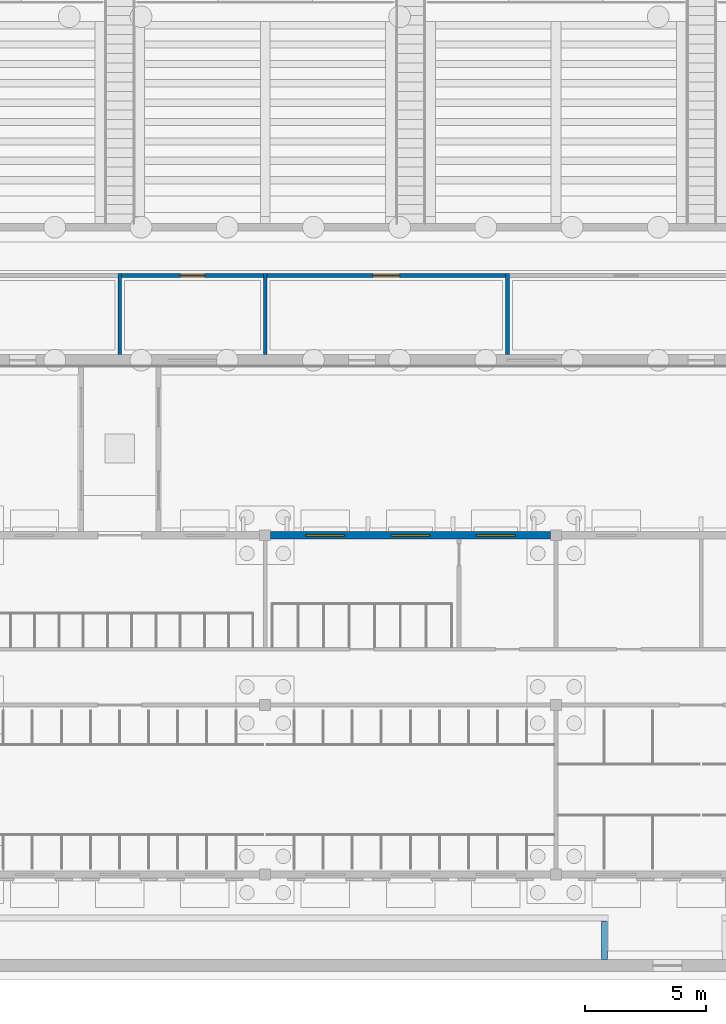
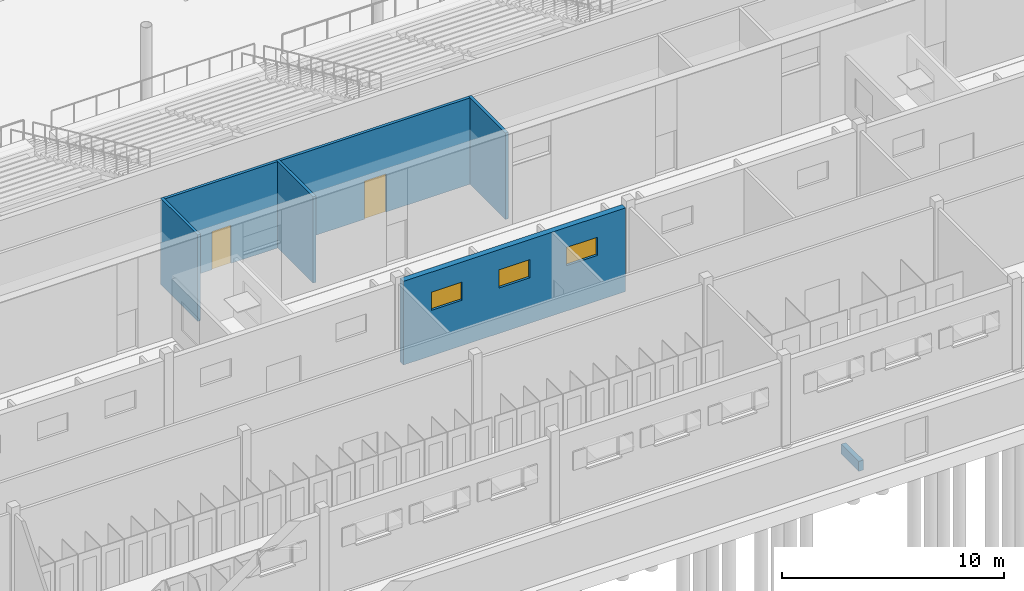
# One storey, part 84 of 157: 7 walls, 3 windows, 2 doors, 5 openings.
"""IFC4 building model written with IfcOpenShell, lengths in metres."""

from ifc_helpers import new_model, si_unit, direction, frame, frame_2d, origin, place, context, subcontext, project, spatial, rectangle, extrude, material, layer, layer_set, type_object, element, fill, save


model = new_model("IFC4")

# Units and contexts
model_context = context("Model", 3, precision=1e-05, world=origin(), true_north=direction((0.0, 1.0)))
body_context = subcontext(model_context, "Body", "Model", "MODEL_VIEW")
ifc_project = project(units=[si_unit("LENGTHUNIT", "METRE"), si_unit("AREAUNIT", "SQUARE_METRE"), si_unit("VOLUMEUNIT", "CUBIC_METRE"), si_unit("PLANEANGLEUNIT", "RADIAN"), si_unit("MASSUNIT", "GRAM", prefix="KILO")], contexts=[model_context])

# Site, building, storey
site_placement = place(None, origin())
site = spatial("IfcSite", under=ifc_project, at=site_placement, CompositionType="ELEMENT")
building_placement = place(site_placement, origin())
building = spatial("IfcBuilding", under=site, at=building_placement, Name="Windward Yard Aquatics Centre", CompositionType="ELEMENT")
storey_placement = place(building_placement, origin())
storey = spatial("IfcBuildingStorey", under=building, at=storey_placement, Name="L00", CompositionType="ELEMENT", Elevation=0.0)

# Wall, openings, windows
ifc_material_1 = material(Name="Natural stone cladding", Category="masonry")
ifc_layer_1 = layer(ifc_material_1, 0.04, Name="Cladding")
ifc_material_2 = material(Name="Ventilated air cavity")
ifc_layer_2 = layer(ifc_material_2, 0.04, ventilated=True, Name="Ventilated cavity")
ifc_material_3 = material(Name="Mineral wool insulation")
ifc_layer_3 = layer(ifc_material_3, 0.06, Name="Insulation")
ifc_material_4 = material(Name="Concrete C35/45", Category="concrete")
ifc_layer_4 = layer(ifc_material_4, 0.16, Name="Structure")
ifc_layer_set_1 = layer_set([ifc_layer_1, ifc_layer_2, ifc_layer_3, ifc_layer_4], Name="C stone-faced external wall 300")
wall_type_1 = type_object("IfcWallType", Name="C stone-faced external wall 300", PredefinedType="ELEMENTEDWALL", material=ifc_layer_set_1)
wall_1_placement = place(storey_placement, frame((84.22509765625, 19.0, 0.0), z_axis=(0.0, 0.0, 1.0), x_axis=(1.0, 0.0, 0.0)))
wall_1 = element("IfcWall", 1, at=wall_1_placement, inside=storey, type_object=wall_type_1, Name="C.W.L00.N4", PredefinedType="ELEMENTEDWALL", context=body_context, shape_type="SweptSolid", body=[
    extrude(rectangle(XDim=11.5498046875, YDim=0.300048828125, at=frame_2d((5.77490234375, 0.0))), origin(), (0.0, 0.0, 1.0), 4.60009765625),
])
opening_1_placement = place(wall_1_placement, frame((1.458251953125, 0.0, 2.5)))
opening_1 = element("IfcOpeningElement", 2, at=opening_1_placement, cuts=wall_1, Name="Opening CW0026", PredefinedType="OPENING", context=body_context, shape_type="SweptSolid", body=[
    extrude(rectangle(XDim=1.60009765625, YDim=1.0, at=frame_2d((0.800048828125, 0.5))), frame((0.0, 0.16015625, 0.0), z_axis=(0.0, -1.0, 0.0), x_axis=(1.0, 0.0, 0.0)), (0.0, 0.0, 1.0), 0.320068359375),
])
opening_2_placement = place(wall_1_placement, frame((4.97509765625, 0.0, 2.5)))
opening_2 = element("IfcOpeningElement", 3, at=opening_2_placement, cuts=wall_1, Name="Opening CW0027", PredefinedType="OPENING", context=body_context, shape_type="SweptSolid", body=[
    extrude(rectangle(XDim=1.60009765625, YDim=1.0, at=frame_2d((0.800048828125, 0.5))), frame((0.0, 0.16015625, 0.0), z_axis=(0.0, -1.0, 0.0), x_axis=(1.0, 0.0, 0.0)), (0.0, 0.0, 1.0), 0.320068359375),
])
opening_3_placement = place(wall_1_placement, frame((8.49169921875, 0.0, 2.5)))
opening_3 = element("IfcOpeningElement", 4, at=opening_3_placement, cuts=wall_1, Name="Opening CW0028", PredefinedType="OPENING", context=body_context, shape_type="SweptSolid", body=[
    extrude(rectangle(XDim=1.60009765625, YDim=1.0, at=frame_2d((0.800048828125, 0.5))), frame((0.0, 0.16015625, 0.0), z_axis=(0.0, -1.0, 0.0), x_axis=(1.0, 0.0, 0.0)), (0.0, 0.0, 1.0), 0.320068359375),
])
ifc_material_5 = material(Name="Aluminium framed double glazing", Category="aluminium")
window_type = type_object("IfcWindowType", Name="C window 1600X1000", PartitioningType="SINGLE_PANEL", PredefinedType="WINDOW", material=ifc_material_5)
window_1_placement = place(opening_1_placement, origin())
window_1 = element("IfcWindow", 5, at=window_1_placement, inside=storey, type_object=window_type, Name="Window CW0026", OverallHeight=1.0, OverallWidth=1.60009765625, PartitioningType="SINGLE_PANEL", PredefinedType="WINDOW", context=body_context, shape_type="SweptSolid", body=[
    extrude(rectangle(XDim=1.60009765625, YDim=1.0, at=frame_2d((0.800048828125, 0.5))), frame((0.0, 0.030029296875, 0.0), z_axis=(0.0, -1.0, 0.0), x_axis=(1.0, 0.0, 0.0)), (0.0, 0.0, 1.0), 0.06005859375),
])
fill(opening_1, window_1)
window_2_placement = place(opening_2_placement, origin())
window_2 = element("IfcWindow", 6, at=window_2_placement, inside=storey, type_object=window_type, Name="Window CW0027", OverallHeight=1.0, OverallWidth=1.60009765625, PartitioningType="SINGLE_PANEL", PredefinedType="WINDOW", context=body_context, shape_type="SweptSolid", body=[
    extrude(rectangle(XDim=1.60009765625, YDim=1.0, at=frame_2d((0.800048828125, 0.5))), frame((0.0, 0.030029296875, 0.0), z_axis=(0.0, -1.0, 0.0), x_axis=(1.0, 0.0, 0.0)), (0.0, 0.0, 1.0), 0.06005859375),
])
fill(opening_2, window_2)
window_3_placement = place(opening_3_placement, origin())
window_3 = element("IfcWindow", 7, at=window_3_placement, inside=storey, type_object=window_type, Name="Window CW0028", OverallHeight=1.0, OverallWidth=1.60009765625, PartitioningType="SINGLE_PANEL", PredefinedType="WINDOW", context=body_context, shape_type="SweptSolid", body=[
    extrude(rectangle(XDim=1.60009765625, YDim=1.0, at=frame_2d((0.800048828125, 0.5))), frame((0.0, 0.030029296875, 0.0), z_axis=(0.0, -1.0, 0.0), x_axis=(1.0, 0.0, 0.0)), (0.0, 0.0, 1.0), 0.06005859375),
])
fill(opening_3, window_3)

# Wall
ifc_material_6 = material(Name="Blockwork 150 mm", Category="masonry")
ifc_layer_5 = layer(ifc_material_6, 0.14990234375)
ifc_layer_set_2 = layer_set([ifc_layer_5], Name="H Partition Blockwork 150")
wall_type_2 = type_object("IfcWallType", Name="H Partition Blockwork 150", PredefinedType="PARTITIONING", material=ifc_layer_set_2)
wall_2_placement = place(storey_placement, frame((78.0, 26.449951171875, 0.0), z_axis=(0.0, 0.0, 1.0), x_axis=(0.0, 1.0, 0.0)))
element("IfcWall", 8, at=wall_2_placement, inside=storey, type_object=wall_type_2, Name="L00 partition Team Changing Room", PredefinedType="PARTITIONING", context=body_context, shape_type="SweptSolid", body=[
    extrude(rectangle(XDim=3.344970703125, YDim=0.14990234375, at=frame_2d((1.67236328125, 0.0))), origin(), (0.0, 0.0, 1.0), 4.75),
])

# Wall, opening, door
wall_3_placement = place(storey_placement, frame((78.074951171875, 29.719970703125, 0.0), z_axis=(0.0, 0.0, 1.0), x_axis=(1.0, 0.0, 0.0)))
wall_3 = element("IfcWall", 9, at=wall_3_placement, inside=storey, type_object=wall_type_2, Name="L00 partition Team Shower Room", PredefinedType="PARTITIONING", context=body_context, shape_type="SweptSolid", body=[
    extrude(rectangle(XDim=5.85009765625, YDim=0.14990234375, at=frame_2d((2.925048828125, 0.0))), origin(), (0.0, 0.0, 1.0), 4.75),
])
opening_4_placement = place(wall_3_placement, frame((2.425048828125, 0.0, 0.0)))
opening_4 = element("IfcOpeningElement", 10, at=opening_4_placement, cuts=wall_3, Name="Opening H0030", PredefinedType="OPENING", context=body_context, shape_type="SweptSolid", body=[
    extrude(rectangle(XDim=1.0, YDim=2.10009765625, at=frame_2d((0.5, 1.050048828125))), frame((0.0, 0.0849609375, 0.0), z_axis=(0.0, -1.0, 0.0), x_axis=(1.0, 0.0, 0.0)), (0.0, 0.0, 1.0), 0.169921875),
])
ifc_material_7 = material(Name="Steel and timber door leaf", Category="steel")
door_type_1 = type_object("IfcDoorType", Name="H Door Single 1000 x 2100 FD30S", OperationType="NOTDEFINED", PredefinedType="DOOR", material=ifc_material_7)
door_1_placement = place(opening_4_placement, origin())
door_1 = element("IfcDoor", 11, at=door_1_placement, inside=storey, type_object=door_type_1, Name="L00 Team Shower Room door", OperationType="SINGLE_SWING_LEFT", OverallHeight=2.10009765625, OverallWidth=1.0, PredefinedType="DOOR", context=body_context, shape_type="SweptSolid", body=[
    extrude(rectangle(XDim=1.0, YDim=2.10009765625, at=frame_2d((0.5, 1.050048828125))), frame((0.0, 0.02490234375, 0.0), z_axis=(0.0, -1.0, 0.0), x_axis=(1.0, 0.0, 0.0)), (0.0, 0.0, 1.0), 0.050048828125),
])
fill(opening_4, door_1)

# Wall
wall_4_placement = place(storey_placement, frame((84.0, 26.449951171875, 0.0), z_axis=(0.0, 0.0, 1.0), x_axis=(0.0, 1.0, 0.0)))
element("IfcWall", 12, at=wall_4_placement, inside=storey, type_object=wall_type_2, Name="L00 partition Team Shower Room", PredefinedType="PARTITIONING", context=body_context, shape_type="SweptSolid", body=[
    extrude(rectangle(XDim=3.344970703125, YDim=0.14990234375, at=frame_2d((1.67236328125, 0.0))), origin(), (0.0, 0.0, 1.0), 4.75),
])

# Wall, opening, door
wall_5_placement = place(storey_placement, frame((84.074951171875, 29.719970703125, 0.0), z_axis=(0.0, 0.0, 1.0), x_axis=(1.0, 0.0, 0.0)))
wall_5 = element("IfcWall", 13, at=wall_5_placement, inside=storey, type_object=wall_type_2, Name="L00 partition Pool Plant Room", PredefinedType="PARTITIONING", context=body_context, shape_type="SweptSolid", body=[
    extrude(rectangle(XDim=9.85009765625, YDim=0.14990234375, at=frame_2d((4.925048828125, 0.0))), origin(), (0.0, 0.0, 1.0), 4.75),
])
opening_5_placement = place(wall_5_placement, frame((4.375, 0.0, 0.0)))
opening_5 = element("IfcOpeningElement", 14, at=opening_5_placement, cuts=wall_5, Name="Opening H0031", PredefinedType="OPENING", context=body_context, shape_type="SweptSolid", body=[
    extrude(rectangle(XDim=1.10009765625, YDim=2.10009765625, at=frame_2d((0.550048828125, 1.050048828125))), frame((0.0, 0.0849609375, 0.0), z_axis=(0.0, -1.0, 0.0), x_axis=(1.0, 0.0, 0.0)), (0.0, 0.0, 1.0), 0.169921875),
])
door_type_2 = type_object("IfcDoorType", Name="H Door Single 1100 x 2100 FD60", OperationType="NOTDEFINED", PredefinedType="DOOR", material=ifc_material_7)
door_2_placement = place(opening_5_placement, origin())
door_2 = element("IfcDoor", 15, at=door_2_placement, inside=storey, type_object=door_type_2, Name="L00 Pool Plant Room door", OperationType="SINGLE_SWING_RIGHT", OverallHeight=2.10009765625, OverallWidth=1.10009765625, PredefinedType="DOOR", context=body_context, shape_type="SweptSolid", body=[
    extrude(rectangle(XDim=1.10009765625, YDim=2.10009765625, at=frame_2d((0.550048828125, 1.050048828125))), frame((0.0, 0.02490234375, 0.0), z_axis=(0.0, -1.0, 0.0), x_axis=(1.0, 0.0, 0.0)), (0.0, 0.0, 1.0), 0.050048828125),
])
fill(opening_5, door_2)

# Walls
wall_6_placement = place(storey_placement, frame((94.0, 26.449951171875, 0.0), z_axis=(0.0, 0.0, 1.0), x_axis=(0.0, 1.0, 0.0)))
element("IfcWall", 16, at=wall_6_placement, inside=storey, type_object=wall_type_2, Name="L00 partition Pool Plant Room", PredefinedType="PARTITIONING", context=body_context, shape_type="SweptSolid", body=[
    extrude(rectangle(XDim=3.344970703125, YDim=0.14990234375, at=frame_2d((1.67236328125, 0.0))), origin(), (0.0, 0.0, 1.0), 4.75),
])
ifc_material_8 = material(Name="Bituminous waterproofing membrane with root barrier")
ifc_layer_6 = layer(ifc_material_8, 0.005, Name="Waterproofing and root barrier")
ifc_material_9 = material(Name="Concrete C30/37", Category="concrete")
ifc_layer_7 = layer(ifc_material_9, 0.245, Name="Structure")
ifc_layer_set_3 = layer_set([ifc_layer_6, ifc_layer_7], Name="X Planter Wall Concrete C30/37 250 x 550")
wall_type_3 = type_object("IfcWallType", Name="X Planter Wall Concrete C30/37 250 x 550", PredefinedType="USERDEFINED", material=ifc_layer_set_3)
wall_7_placement = place(storey_placement, frame((98.0, 1.5, -0.10009765625), z_axis=(0.0, 0.0, 1.0), x_axis=(0.0, 1.0, 0.0)))
element("IfcWall", 17, at=wall_7_placement, inside=storey, type_object=wall_type_3, Name="Rail side berm centre planter wall", ObjectType="PLANTER WALL", PredefinedType="USERDEFINED", context=body_context, shape_type="SweptSolid", body=[
    extrude(rectangle(XDim=1.574951171875, YDim=0.25, at=frame_2d((0.78759765625, 0.0))), origin(), (0.0, 0.0, 1.0), 0.550048828125),
])

save(model, "model.ifc")
